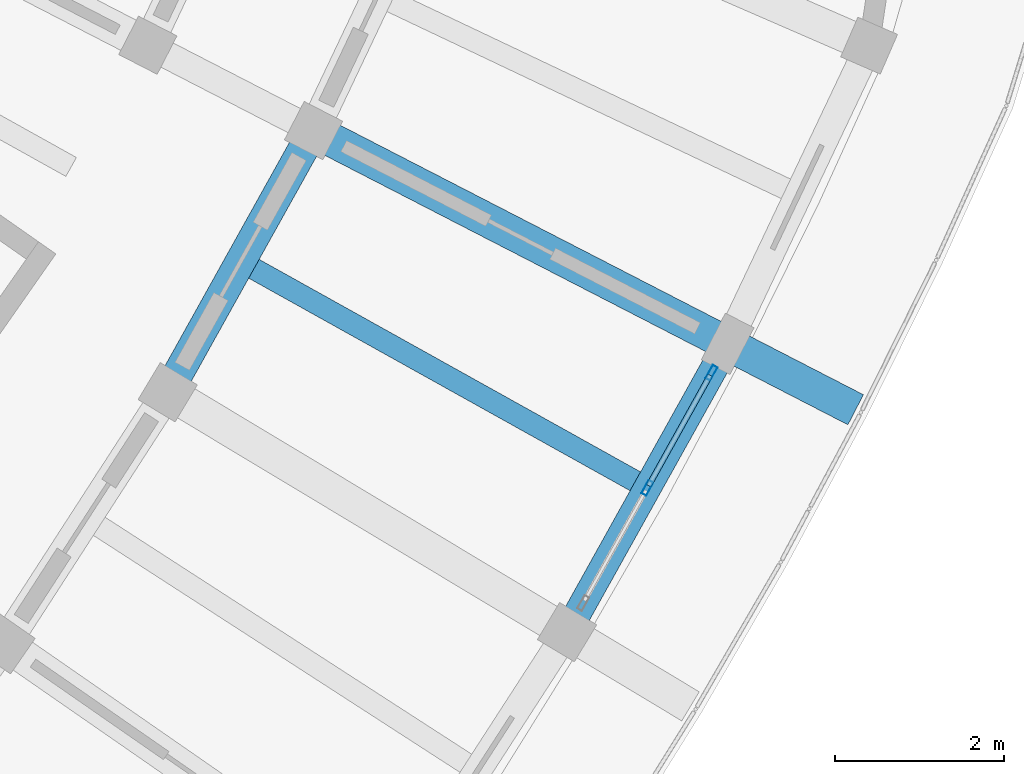
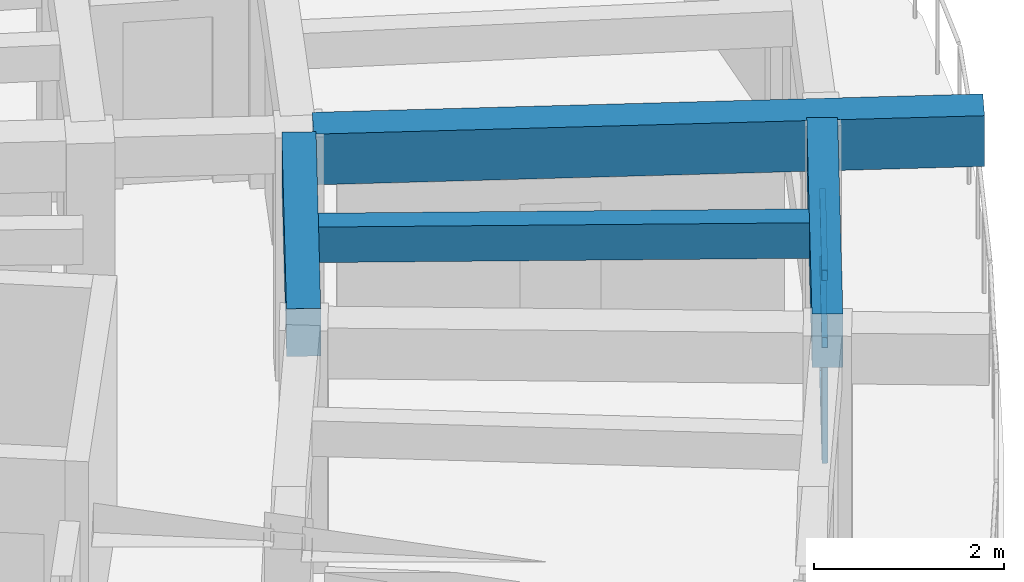
# One storey, part 24 of 83: 5 members, 4 beams, 1 element without a shape of its own.
"""IFC4 building model written with IfcOpenShell, lengths in metres."""

from ifc_helpers import new_model, si_unit, direction, frame, origin, origin_2d, place, context, subcontext, project, spatial, rectangle, hollow_rectangle, extrude, material, material_profile, profile_set, type_object, element, aggregate, save


model = new_model("IFC4")

# Units and contexts
model_context = context("Model", 3, precision=1e-05, world=origin(), true_north=direction((0.0, 1.0)))
body_context = subcontext(model_context, "Body", "Model", "MODEL_VIEW")
ifc_project = project(units=[si_unit("LENGTHUNIT", "METRE"), si_unit("AREAUNIT", "SQUARE_METRE"), si_unit("VOLUMEUNIT", "CUBIC_METRE"), si_unit("PLANEANGLEUNIT", "RADIAN"), si_unit("MASSUNIT", "GRAM", prefix="KILO")], contexts=[model_context])

# Site, building, storey
site_placement = place(None, origin())
site = spatial("IfcSite", under=ifc_project, at=site_placement, CompositionType="ELEMENT")
building_placement = place(site_placement, origin())
building = spatial("IfcBuilding", under=site, at=building_placement, Name="Tanwirah Colonnade Gardens", CompositionType="ELEMENT")
storey_placement = place(building_placement, frame((0.0, 0.0, 25.639892578125)))
storey = spatial("IfcBuildingStorey", under=building, at=storey_placement, Name="L07", CompositionType="ELEMENT", Elevation=25.639892578125)

# Beams
ifc_material_1 = material(Name="Precast concrete C40/50", Category="concrete")
ifc_material_profile_1 = material_profile(ifc_material_1, rectangle(XDim=0.360107421875, YDim=0.610107421875, at=origin_2d()), Name="PC-BM 360x610")
ifc_profile_set_1 = profile_set([ifc_material_profile_1], Name="Precast concrete C40/50")
beam_type_1 = type_object("IfcBeamType", Name="BM-PC300", PredefinedType="BEAM", material=ifc_profile_set_1)
beam_1_placement = place(storey_placement, frame((167.40283203125, 36.793212890625, 2.80517578125), z_axis=(0.486712025227, 0.873562478875, 0.0), x_axis=(-0.873562478875, 0.486712025227, 0.0)))
element("IfcBeam", 1, at=beam_1_placement, inside=storey, type_object=beam_type_1, Name="Block D L07 Circumferential Beam 12-R2", PredefinedType="BEAM", context=body_context, shape_type="SweptSolid", body=[
    extrude(rectangle(XDim=0.360107421875, YDim=0.610107421875, at=origin_2d()), origin(), (0.0, 0.0, 1.0), 3.23681640625),
])
ifc_material_2 = material(Name="Precast concrete C45/55", Category="concrete")
ifc_material_profile_2 = material_profile(ifc_material_2, rectangle(XDim=0.39990234375, YDim=0.64990234375, at=origin_2d()), Name="PC-BM 400x650")
ifc_profile_set_2 = profile_set([ifc_material_profile_2], Name="Precast concrete C45/55")
beam_type_2 = type_object("IfcBeamType", Name="BM-PC400", PredefinedType="BEAM", material=ifc_profile_set_2)
beam_2_placement = place(storey_placement, frame((169.184814453125, 39.683349609375, 2.78515625), z_axis=(0.889016420099, -0.457875315774, 0.0), x_axis=(0.457875315774, 0.889016420099, 0.0)))
element("IfcBeam", 2, at=beam_2_placement, inside=storey, type_object=beam_type_2, Name="Block D L07 Outer Radial Precast Girder 13", PredefinedType="BEAM", context=body_context, shape_type="SweptSolid", body=[
    extrude(rectangle(XDim=0.39990234375, YDim=0.64990234375, at=origin_2d()), origin(), (0.0, 0.0, 1.0), 7.050048828125),
])

# Curtain wall, members
ifc_material_3 = material(Name="Bronze-anodised aluminium and solar-control low-E glass", Category="aluminium")
curtain_wall_type = type_object("IfcCurtainWallType", Name="CW-LOB", PredefinedType="NOTDEFINED", material=ifc_material_3)
curtain_wall_placement = place(storey_placement, origin())
curtain_wall = element("IfcCurtainWall", 3, at=curtain_wall_placement, inside=storey, type_object=curtain_wall_type, Name="Curtain Wall CW-D-L07-OUT-12", PredefinedType="NOTDEFINED")
ifc_material_4 = material(Name="Bronze-anodised aluminium", Category="aluminium")
ifc_material_profile_3 = material_profile(ifc_material_4, hollow_rectangle(XDim=0.06494140625, YDim=0.179931640625, WallThickness=0.00390625, at=origin_2d()), Name="CW-MUL 65x180x4")
ifc_profile_set_3 = profile_set([ifc_material_profile_3], Name="Bronze-anodised aluminium")
member_type_1 = type_object("IfcMemberType", Name="CWM-65x180", PredefinedType="MULLION", material=ifc_profile_set_3)
member_1_placement = place(storey_placement, frame((172.99267578125, 35.531494140625, 0.0), z_axis=(0.0, 0.0, 1.0), x_axis=(-0.873560768318, 0.486715095364, 0.0)))
member_1 = element("IfcMember", 4, at=member_1_placement, type_object=member_type_1, Name="CW-LOB mullion 2", PredefinedType="MULLION", context=body_context, shape_type="SweptSolid", body=[
    extrude(hollow_rectangle(XDim=0.06494140625, YDim=0.179931640625, WallThickness=0.00390625, at=origin_2d()), origin(), (0.0, 0.0, 1.0), 2.355224609375),
])
member_2_placement = place(storey_placement, frame((173.75, 36.890625, 0.0), z_axis=(0.0, 0.0, 1.0), x_axis=(-0.873560768318, 0.486715095364, 0.0)))
member_2 = element("IfcMember", 5, at=member_2_placement, type_object=member_type_1, Name="CW-LOB mullion 3", PredefinedType="MULLION", context=body_context, shape_type="SweptSolid", body=[
    extrude(hollow_rectangle(XDim=0.06494140625, YDim=0.179931640625, WallThickness=0.00390625, at=origin_2d()), origin(), (0.0, 0.0, 1.0), 2.355224609375),
])
ifc_material_profile_4 = material_profile(ifc_material_4, hollow_rectangle(XDim=0.06494140625, YDim=0.135009765625, WallThickness=0.00390625, at=origin_2d()), Name="CW-TRN 65x135x4")
ifc_profile_set_4 = profile_set([ifc_material_profile_4], Name="Bronze-anodised aluminium")
member_type_2 = type_object("IfcMemberType", Name="CWT-65x135", PredefinedType="USERDEFINED", material=ifc_profile_set_4)
member_3_placement = place(storey_placement, frame((173.008544921875, 35.559814453125, 0.03271484375), z_axis=(0.486657529313, 0.873592839464, 0.0), x_axis=(-0.873592839464, 0.486657529313, 0.0)))
member_3 = element("IfcMember", 6, at=member_3_placement, type_object=member_type_2, Name="CW-LOB transom 2.1", ObjectType="TRANSOM", PredefinedType="USERDEFINED", context=body_context, shape_type="SweptSolid", body=[
    extrude(hollow_rectangle(XDim=0.06494140625, YDim=0.135009765625, WallThickness=0.00390625, at=origin_2d()), origin(), (0.0, 0.0, 1.0), 1.490966796875),
])
member_4_placement = place(storey_placement, frame((173.008544921875, 35.559814453125, 1.460205078125), z_axis=(0.486657529313, 0.873592839464, 0.0), x_axis=(-0.873592839464, 0.486657529313, 0.0)))
member_4 = element("IfcMember", 7, at=member_4_placement, type_object=member_type_2, Name="CW-LOB transom 2.2", ObjectType="TRANSOM", PredefinedType="USERDEFINED", context=body_context, shape_type="SweptSolid", body=[
    extrude(hollow_rectangle(XDim=0.06494140625, YDim=0.135009765625, WallThickness=0.00390625, at=origin_2d()), origin(), (0.0, 0.0, 1.0), 1.490966796875),
])
member_5_placement = place(storey_placement, frame((173.008544921875, 35.559814453125, 2.322509765625), z_axis=(0.486657529313, 0.873592839464, 0.0), x_axis=(-0.873592839464, 0.486657529313, 0.0)))
member_5 = element("IfcMember", 8, at=member_5_placement, type_object=member_type_2, Name="CW-LOB transom 2.3", ObjectType="TRANSOM", PredefinedType="USERDEFINED", context=body_context, shape_type="SweptSolid", body=[
    extrude(hollow_rectangle(XDim=0.06494140625, YDim=0.135009765625, WallThickness=0.00390625, at=origin_2d()), origin(), (0.0, 0.0, 1.0), 1.490966796875),
])
aggregate(curtain_wall, [member_1, member_2, member_3, member_4, member_5])

# Beams
ifc_material_profile_5 = material_profile(ifc_material_1, rectangle(XDim=0.2548828125, YDim=0.455078125, at=origin_2d()), Name="PC-JST 255x455")
ifc_profile_set_5 = profile_set([ifc_material_profile_5], Name="Precast concrete C40/50")
beam_type_3 = type_object("IfcBeamType", Name="JST-PC240", PredefinedType="JOIST", material=ifc_profile_set_5)
beam_3_placement = place(storey_placement, frame((168.32080078125, 38.134521484375, 2.882568359375), z_axis=(0.87356769437, -0.486702664214, 0.0), x_axis=(0.486702664214, 0.87356769437, 0.0)))
element("IfcBeam", 9, at=beam_3_placement, inside=storey, type_object=beam_type_3, Name="Block D L07 Precast Floor Joist 12", PredefinedType="JOIST", context=body_context, shape_type="SweptSolid", body=[
    extrude(rectangle(XDim=0.2548828125, YDim=0.455078125, at=origin_2d()), origin(), (0.0, 0.0, 1.0), 5.260009765625),
])
ifc_material_profile_6 = material_profile(ifc_material_1, rectangle(XDim=0.324951171875, YDim=0.68505859375, at=origin_2d()), Name="PC-SP 325x685")
ifc_profile_set_6 = profile_set([ifc_material_profile_6], Name="Precast concrete C40/50")
beam_type_4 = type_object("IfcBeamType", Name="SP-PC260", PredefinedType="SPANDREL", material=ifc_profile_set_6)
beam_4_placement = place(storey_placement, frame((172.117431640625, 33.96044921875, 2.767578125), z_axis=(0.486679958674, 0.87358034423, 0.0), x_axis=(-0.87358034423, 0.486679958674, 0.0)))
element("IfcBeam", 10, at=beam_4_placement, inside=storey, type_object=beam_type_4, Name="Block D L07 Circumferential Beam 12-R3", PredefinedType="SPANDREL", context=body_context, shape_type="SweptSolid", body=[
    extrude(rectangle(XDim=0.324951171875, YDim=0.68505859375, at=origin_2d()), origin(), (0.0, 0.0, 1.0), 3.5966796875),
])

save(model, "model.ifc")
